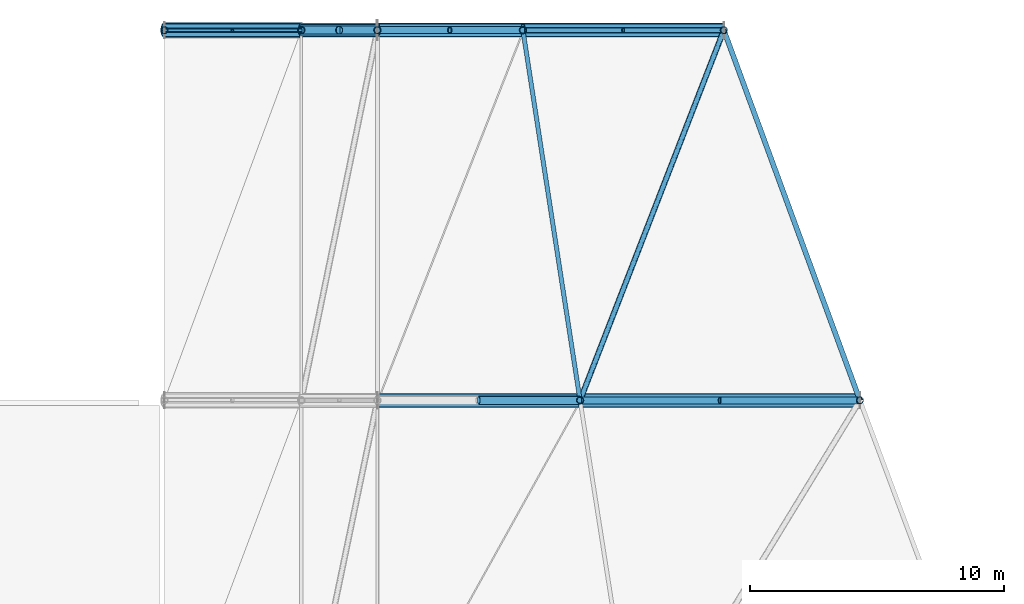
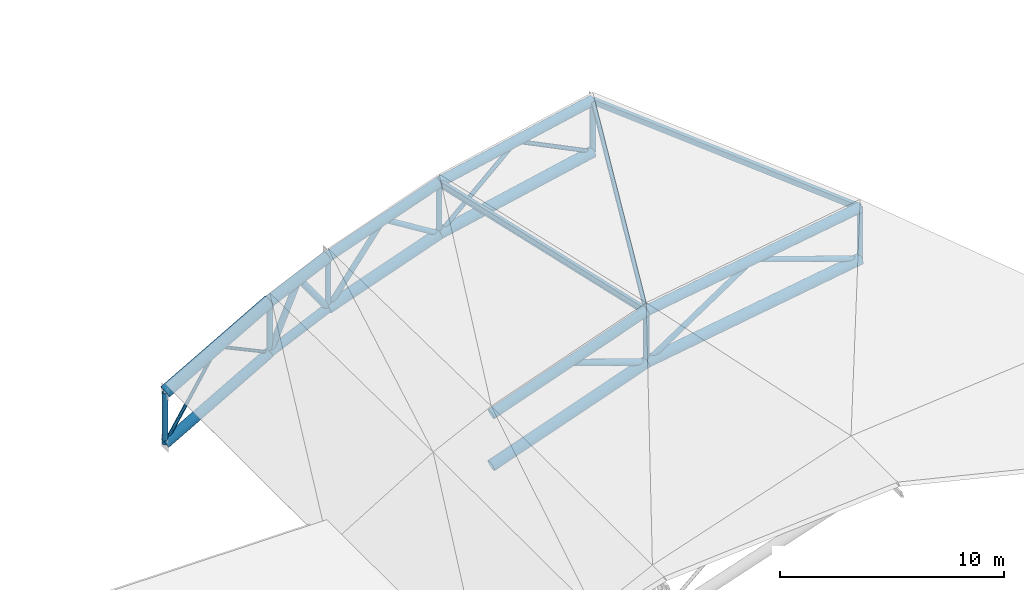
# One storey, part 14 of 36: 33 members.
"""IFC4 building model written with IfcOpenShell, lengths in metres."""

from ifc_helpers import new_model, si_unit, direction, frame, origin, origin_2d, place, context, subcontext, project, spatial, hollow_rectangle, hollow_circle, i_section, extrude, material, material_profile, profile_set, type_object, element, save


model = new_model("IFC4")

# Units and contexts
model_context = context("Model", 3, precision=1e-05, world=origin(), true_north=direction((0.0, 1.0)))
body_context = subcontext(model_context, "Body", "Model", "MODEL_VIEW")
ifc_project = project(units=[si_unit("LENGTHUNIT", "METRE"), si_unit("AREAUNIT", "SQUARE_METRE"), si_unit("VOLUMEUNIT", "CUBIC_METRE"), si_unit("PLANEANGLEUNIT", "RADIAN"), si_unit("MASSUNIT", "GRAM", prefix="KILO")], contexts=[model_context])

# Site, building, storey
site_placement = place(None, origin())
site = spatial("IfcSite", under=ifc_project, at=site_placement, CompositionType="ELEMENT")
building_placement = place(site_placement, origin())
building = spatial("IfcBuilding", under=site, at=building_placement, Name="Koshinbarg Plaza Stadium", CompositionType="ELEMENT")
storey_placement = place(building_placement, frame((0.0, 0.0, 34.199951171875)))
storey = spatial("IfcBuildingStorey", under=building, at=storey_placement, Name="RF", CompositionType="ELEMENT", Elevation=34.199951171875)

# Members
ifc_material = material(Name="Steel S355", Category="steel")
ifc_material_profile_1 = material_profile(ifc_material, hollow_circle(Radius=0.279541015625, WallThickness=0.022216796875, at=origin_2d()), Name="CHS 559x22.2")
ifc_profile_set_1 = profile_set([ifc_material_profile_1], Name="Steel S355")
member_type_1 = type_object("IfcMemberType", Name="MB-ARCH-BOT", PredefinedType="CHORD", material=ifc_profile_set_1)
member_1_placement = place(storey_placement, frame((54.60009765625, 111.89990234375, -0.10302734375), z_axis=(0.942098779922, 0.0, 0.335335487041), x_axis=(0.0, 1.0, 0.0)))
element("IfcMember", 1, at=member_1_placement, inside=storey, type_object=member_type_1, Name="Quarter-barrel roof truss bottom chord WRB-07-3", PredefinedType="CHORD", context=body_context, shape_type="SweptSolid", body=[
    extrude(hollow_circle(Radius=0.279541015625, WallThickness=0.022216796875, at=origin_2d()), origin(), (0.0, 0.0, 1.0), 8.484619140625),
])
member_2_placement = place(storey_placement, frame((62.593505859375, 111.89990234375, 2.7421875), z_axis=(0.987287695583, 0.0, 0.158943405497), x_axis=(0.0, 1.0, 0.0)))
element("IfcMember", 2, at=member_2_placement, inside=storey, type_object=member_type_1, Name="Quarter-barrel roof truss bottom chord WRB-07-4", PredefinedType="CHORD", context=body_context, shape_type="SweptSolid", body=[
    extrude(hollow_circle(Radius=0.279541015625, WallThickness=0.022216796875, at=origin_2d()), origin(), (0.0, 0.0, 1.0), 11.1806640625),
])
member_3_placement = place(storey_placement, frame((54.60009765625, 126.5, -0.353271484375), z_axis=(0.941982839682, 0.0, 0.335661033999), x_axis=(0.0, 1.0, 0.0)))
element("IfcMember", 3, at=member_3_placement, inside=storey, type_object=member_type_1, Name="Quarter-barrel roof truss bottom chord WRB-08-3", PredefinedType="CHORD", context=body_context, shape_type="SweptSolid", body=[
    extrude(hollow_circle(Radius=0.279541015625, WallThickness=0.022216796875, at=origin_2d()), origin(), (0.0, 0.0, 1.0), 6.09228515625),
])
member_4_placement = place(storey_placement, frame((60.3388671875, 126.5, 1.691650390625), z_axis=(0.977875975402, 0.0, 0.209185507939), x_axis=(0.0, 1.0, 0.0)))
element("IfcMember", 4, at=member_4_placement, inside=storey, type_object=member_type_1, Name="Quarter-barrel roof truss bottom chord WRB-08-4", PredefinedType="CHORD", context=body_context, shape_type="SweptSolid", body=[
    extrude(hollow_circle(Radius=0.279541015625, WallThickness=0.022216796875, at=origin_2d()), origin(), (0.0, 0.0, 1.0), 8.104248046875),
])
ifc_material_profile_2 = material_profile(ifc_material, hollow_circle(Radius=0.25390625, WallThickness=0.02001953125, at=origin_2d()), Name="CHS 508x20")
ifc_profile_set_2 = profile_set([ifc_material_profile_2], Name="Steel S355")
member_type_2 = type_object("IfcMemberType", Name="MB-ARCH-TOP", PredefinedType="CHORD", material=ifc_profile_set_2)
member_5_placement = place(storey_placement, frame((54.60009765625, 111.89990234375, 2.697021484375), z_axis=(0.942098779922, 0.0, 0.335335487041), x_axis=(0.0, 1.0, 0.0)))
element("IfcMember", 5, at=member_5_placement, inside=storey, type_object=member_type_2, Name="Quarter-barrel roof truss top chord WRB-07-3", PredefinedType="CHORD", context=body_context, shape_type="SweptSolid", body=[
    extrude(hollow_circle(Radius=0.25390625, WallThickness=0.02001953125, at=origin_2d()), origin(), (0.0, 0.0, 1.0), 8.484619140625),
])
member_6_placement = place(storey_placement, frame((62.593505859375, 111.89990234375, 5.542236328125), z_axis=(0.987287695583, 0.0, 0.158943405497), x_axis=(0.0, 1.0, 0.0)))
element("IfcMember", 6, at=member_6_placement, inside=storey, type_object=member_type_2, Name="Quarter-barrel roof truss top chord WRB-07-4", PredefinedType="CHORD", context=body_context, shape_type="SweptSolid", body=[
    extrude(hollow_circle(Radius=0.25390625, WallThickness=0.02001953125, at=origin_2d()), origin(), (0.0, 0.0, 1.0), 11.1806640625),
])
member_7_placement = place(storey_placement, frame((54.60009765625, 126.5, 2.446533203125), z_axis=(0.94197016826, 0.0, 0.335696592339), x_axis=(0.0, 1.0, 0.0)))
element("IfcMember", 7, at=member_7_placement, inside=storey, type_object=member_type_2, Name="Quarter-barrel roof truss top chord WRB-08-3", PredefinedType="CHORD", context=body_context, shape_type="SweptSolid", body=[
    extrude(hollow_circle(Radius=0.25390625, WallThickness=0.02001953125, at=origin_2d()), origin(), (0.0, 0.0, 1.0), 6.09228515625),
])
member_8_placement = place(storey_placement, frame((60.3388671875, 126.5, 4.49169921875), z_axis=(0.977875975402, 0.0, 0.209185507939), x_axis=(0.0, 1.0, 0.0)))
element("IfcMember", 8, at=member_8_placement, inside=storey, type_object=member_type_2, Name="Quarter-barrel roof truss top chord WRB-08-4", PredefinedType="CHORD", context=body_context, shape_type="SweptSolid", body=[
    extrude(hollow_circle(Radius=0.25390625, WallThickness=0.02001953125, at=origin_2d()), origin(), (0.0, 0.0, 1.0), 8.104248046875),
])
ifc_material_profile_3 = material_profile(ifc_material, hollow_circle(Radius=0.161865234375, WallThickness=0.01416015625, at=origin_2d()), Name="CHS 323.9x14.2")
ifc_profile_set_3 = profile_set([ifc_material_profile_3], Name="Steel S355")
member_type_3 = type_object("IfcMemberType", Name="MB-BRACE-01", PredefinedType="BRACE", material=ifc_profile_set_3)
member_9_placement = place(storey_placement, frame((58.5966796875, 111.89990234375, 4.11962890625), z_axis=(0.945429428908, 0.0, -0.325826940193), x_axis=(0.0, 1.0, 0.0)))
element("IfcMember", 9, at=member_9_placement, inside=storey, type_object=member_type_3, Name="Quarter-barrel roof truss web diagonal WRB-07-3B", PredefinedType="BRACE", context=body_context, shape_type="SweptSolid", body=[
    extrude(hollow_circle(Radius=0.161865234375, WallThickness=0.01416015625, at=origin_2d()), origin(), (0.0, 0.0, 1.0), 4.2275390625),
])
member_10_placement = place(storey_placement, frame((51.60009765625, 126.5, -1.7265625), z_axis=(0.395199828763, 0.0, 0.918595174898), x_axis=(0.0, 1.0, 0.0)))
element("IfcMember", 10, at=member_10_placement, inside=storey, type_object=member_type_3, Name="Quarter-barrel roof truss web diagonal WRB-08-2A", PredefinedType="BRACE", context=body_context, shape_type="SweptSolid", body=[
    extrude(hollow_circle(Radius=0.161865234375, WallThickness=0.01416015625, at=origin_2d()), origin(), (0.0, 0.0, 1.0), 3.795654296875),
])
member_11_placement = place(storey_placement, frame((53.10009765625, 126.5, 1.760009765625), z_axis=(0.578811678148, 0.0, -0.815461244474), x_axis=(0.0, 1.0, 0.0)))
element("IfcMember", 11, at=member_11_placement, inside=storey, type_object=member_type_3, Name="Quarter-barrel roof truss web diagonal WRB-08-2B", PredefinedType="BRACE", context=body_context, shape_type="SweptSolid", body=[
    extrude(hollow_circle(Radius=0.161865234375, WallThickness=0.01416015625, at=origin_2d()), origin(), (0.0, 0.0, 1.0), 2.591552734375),
])
ifc_material_profile_4 = material_profile(ifc_material, hollow_circle(Radius=0.136474609375, WallThickness=0.012451171875, at=origin_2d()), Name="CHS 273x12.5")
ifc_profile_set_4 = profile_set([ifc_material_profile_4], Name="Steel S355")
member_type_4 = type_object("IfcMemberType", Name="MB-BRACE-02", PredefinedType="BRACE", material=ifc_profile_set_4)
member_12_placement = place(storey_placement, frame((62.593505859375, 111.89990234375, 2.7421875), z_axis=(0.831427383293, 0.0, 0.555633428), x_axis=(0.0, 1.0, 0.0)))
element("IfcMember", 12, at=member_12_placement, inside=storey, type_object=member_type_4, Name="Quarter-barrel roof truss web diagonal WRB-07-4A", PredefinedType="BRACE", context=body_context, shape_type="SweptSolid", body=[
    extrude(hollow_circle(Radius=0.136474609375, WallThickness=0.012451171875, at=origin_2d()), origin(), (0.0, 0.0, 1.0), 6.638427734375),
])
member_13_placement = place(storey_placement, frame((68.11279296875, 111.89990234375, 6.4306640625), z_axis=(0.944940842416, 0.0, -0.327241202073), x_axis=(0.0, 1.0, 0.0)))
element("IfcMember", 13, at=member_13_placement, inside=storey, type_object=member_type_4, Name="Quarter-barrel roof truss web diagonal WRB-07-4B", PredefinedType="BRACE", context=body_context, shape_type="SweptSolid", body=[
    extrude(hollow_circle(Radius=0.136474609375, WallThickness=0.012451171875, at=origin_2d()), origin(), (0.0, 0.0, 1.0), 5.8408203125),
])
for number, where, z_axis, x_axis, name in (
    (14, (62.593505859375, 111.89990234375, 2.7421875), (0.0, 0.0, 1.0), (1.0, 0.0, 0.0), "Quarter-barrel roof truss post WRB-07-4"),
    (15, (73.632080078125, 111.89990234375, 4.519287109375), (0.0, 0.0, 1.0), (1.0, 0.0, 0.0), "Quarter-barrel roof truss post WRB-07-5"),
):
    element("IfcMember", number, at=place(storey_placement, frame(where, z_axis=z_axis, x_axis=x_axis)), inside=storey, type_object=member_type_4, Name=name, PredefinedType="BRACE", context=body_context, shape_type="SweptSolid", body=[
        extrude(hollow_circle(Radius=0.136474609375, WallThickness=0.012451171875, at=origin_2d()), origin(), (0.0, 0.0, 1.0), 2.800048828125),
    ])
member_14_placement = place(storey_placement, frame((54.60009765625, 126.5, -0.353271484375), z_axis=(0.600335027586, 0.0, 0.799748619664), x_axis=(0.0, 1.0, 0.0)))
element("IfcMember", 16, at=member_14_placement, inside=storey, type_object=member_type_4, Name="Quarter-barrel roof truss web diagonal WRB-08-3A", PredefinedType="BRACE", context=body_context, shape_type="SweptSolid", body=[
    extrude(hollow_circle(Radius=0.136474609375, WallThickness=0.012451171875, at=origin_2d()), origin(), (0.0, 0.0, 1.0), 4.779541015625),
])
member_15_placement = place(storey_placement, frame((57.469482421875, 126.5, 3.46923828125), z_axis=(0.850092457954, 0.0, -0.526633471145), x_axis=(0.0, 1.0, 0.0)))
element("IfcMember", 17, at=member_15_placement, inside=storey, type_object=member_type_4, Name="Quarter-barrel roof truss web diagonal WRB-08-3B", PredefinedType="BRACE", context=body_context, shape_type="SweptSolid", body=[
    extrude(hollow_circle(Radius=0.136474609375, WallThickness=0.012451171875, at=origin_2d()), origin(), (0.0, 0.0, 1.0), 3.37548828125),
])
member_16_placement = place(storey_placement, frame((46.199951171875, 126.5, -4.800048828125), z_axis=(0.0, 0.0, 1.0), x_axis=(1.0, 0.0, 0.0)))
element("IfcMember", 18, at=member_16_placement, inside=storey, type_object=member_type_4, Name="Quarter-barrel roof truss post WRB-08-1", PredefinedType="BRACE", context=body_context, shape_type="SweptSolid", body=[
    extrude(hollow_circle(Radius=0.136474609375, WallThickness=0.012451171875, at=origin_2d()), origin(), (0.0, 0.0, 1.0), 2.800048828125),
])
for number, where, z_axis, x_axis, name in (
    (19, (51.60009765625, 126.5, -1.7265625), (0.0, 0.0, 1.0), (1.0, 0.0, 0.0), "Quarter-barrel roof truss post WRB-08-2"),
    (20, (54.60009765625, 126.5, -0.353271484375), (0.0, 0.0, 1.0), (1.0, 0.0, 0.0), "Quarter-barrel roof truss post WRB-08-3"),
):
    element("IfcMember", number, at=place(storey_placement, frame(where, z_axis=z_axis, x_axis=x_axis)), inside=storey, type_object=member_type_4, Name=name, PredefinedType="BRACE", context=body_context, shape_type="SweptSolid", body=[
        extrude(hollow_circle(Radius=0.136474609375, WallThickness=0.012451171875, at=origin_2d()), origin(), (0.0, 0.0, 1.0), 2.7998046875),
    ])
for number, where, z_axis, x_axis, name in (
    (21, (60.3388671875, 126.5, 1.691650390625), (0.0, 0.0, 1.0), (1.0, 0.0, 0.0), "Quarter-barrel roof truss post WRB-08-4"),
    (22, (68.263916015625, 126.5, 3.386962890625), (0.0, 0.0, 1.0), (1.0, 0.0, 0.0), "Quarter-barrel roof truss post WRB-08-5"),
):
    element("IfcMember", number, at=place(storey_placement, frame(where, z_axis=z_axis, x_axis=x_axis)), inside=storey, type_object=member_type_4, Name=name, PredefinedType="BRACE", context=body_context, shape_type="SweptSolid", body=[
        extrude(hollow_circle(Radius=0.136474609375, WallThickness=0.012451171875, at=origin_2d()), origin(), (0.0, 0.0, 1.0), 2.800048828125),
    ])
ifc_material_profile_5 = material_profile(ifc_material, hollow_circle(Radius=0.109619140625, WallThickness=0.010009765625, at=origin_2d()), Name="CHS 219.1x10")
ifc_profile_set_5 = profile_set([ifc_material_profile_5], Name="Steel S355")
member_type_5 = type_object("IfcMemberType", Name="MB-BRACE-03", PredefinedType="BRACE", material=ifc_profile_set_5)
member_17_placement = place(storey_placement, frame((60.3388671875, 126.5, 1.691650390625), z_axis=(0.735739452383, 0.0, 0.677264688439), x_axis=(0.0, 1.0, 0.0)))
element("IfcMember", 23, at=member_17_placement, inside=storey, type_object=member_type_5, Name="Quarter-barrel roof truss web diagonal WRB-08-4A", PredefinedType="BRACE", context=body_context, shape_type="SweptSolid", body=[
    extrude(hollow_circle(Radius=0.109619140625, WallThickness=0.010009765625, at=origin_2d()), origin(), (0.0, 0.0, 1.0), 5.385986328125),
])
member_18_placement = place(storey_placement, frame((64.301513671875, 126.5, 5.33935546875), z_axis=(0.897020684397, 0.0, -0.441988565196), x_axis=(0.0, 1.0, 0.0)))
element("IfcMember", 24, at=member_18_placement, inside=storey, type_object=member_type_5, Name="Quarter-barrel roof truss web diagonal WRB-08-4B", PredefinedType="BRACE", context=body_context, shape_type="SweptSolid", body=[
    extrude(hollow_circle(Radius=0.109619140625, WallThickness=0.010009765625, at=origin_2d()), origin(), (0.0, 0.0, 1.0), 4.417236328125),
])
member_19_placement = place(storey_placement, frame((62.593505859375, 111.89990234375, 5.542236328125), z_axis=(0.361729138383, 0.931375438456, 0.04113177708), x_axis=(-0.932164300793, 0.362035518047, 0.0)))
element("IfcMember", 25, at=member_19_placement, inside=storey, type_object=member_type_5, Name="Roof plan wind brace west bay 7.4", PredefinedType="BRACE", context=body_context, shape_type="SweptSolid", body=[
    extrude(hollow_circle(Radius=0.109619140625, WallThickness=0.010009765625, at=origin_2d()), origin(), (0.0, 0.0, 1.0), 15.67578125),
])
ifc_material_profile_6 = material_profile(ifc_material, hollow_circle(Radius=0.084228515625, WallThickness=0.008056640625, at=origin_2d()), Name="CHS 168.3x8")
ifc_profile_set_6 = profile_set([ifc_material_profile_6], Name="Steel S355")
member_type_6 = type_object("IfcMemberType", Name="MB-BRACE-04", PredefinedType="BRACE", material=ifc_profile_set_6)
member_20_placement = place(storey_placement, frame((46.199951171875, 126.5, -4.800048828125), z_axis=(0.528524662436, 0.0, 0.84891794727), x_axis=(0.0, 1.0, 0.0)))
element("IfcMember", 26, at=member_20_placement, inside=storey, type_object=member_type_6, Name="Quarter-barrel roof truss web diagonal WRB-08-1A", PredefinedType="BRACE", context=body_context, shape_type="SweptSolid", body=[
    extrude(hollow_circle(Radius=0.084228515625, WallThickness=0.008056640625, at=origin_2d()), origin(), (0.0, 0.0, 1.0), 5.1083984375),
])
member_21_placement = place(storey_placement, frame((48.89990234375, 126.5, -0.46337890625), z_axis=(0.905785208446, 0.0, -0.423737130967), x_axis=(0.0, 1.0, 0.0)))
element("IfcMember", 27, at=member_21_placement, inside=storey, type_object=member_type_6, Name="Quarter-barrel roof truss web diagonal WRB-08-1B", PredefinedType="BRACE", context=body_context, shape_type="SweptSolid", body=[
    extrude(hollow_circle(Radius=0.084228515625, WallThickness=0.008056640625, at=origin_2d()), origin(), (0.0, 0.0, 1.0), 2.98095703125),
])
ifc_material_profile_7 = material_profile(ifc_material, hollow_circle(Radius=0.304931640625, WallThickness=0.02490234375, at=origin_2d()), Name="CHS 610x25")
ifc_profile_set_7 = profile_set([ifc_material_profile_7], Name="Steel S355")
member_type_7 = type_object("IfcMemberType", Name="MB-CHORD-01", PredefinedType="CHORD", material=ifc_profile_set_7)
member_22_placement = place(storey_placement, frame((46.199951171875, 126.5, -2.0), z_axis=(0.869112287244, 0.0, 0.494614832128), x_axis=(0.0, 1.0, 0.0)))
element("IfcMember", 28, at=member_22_placement, inside=storey, type_object=member_type_7, Name="Quarter-barrel roof truss top chord WRB-08-1", PredefinedType="CHORD", context=body_context, shape_type="SweptSolid", body=[
    extrude(hollow_circle(Radius=0.304931640625, WallThickness=0.02490234375, at=origin_2d()), origin(), (0.0, 0.0, 1.0), 6.21337890625),
])
ifc_material_profile_8 = material_profile(ifc_material, hollow_circle(Radius=0.279541015625, WallThickness=0.022216796875, at=origin_2d()), Name="CHS 559x22.2")
ifc_profile_set_8 = profile_set([ifc_material_profile_8], Name="Steel S355")
member_type_8 = type_object("IfcMemberType", Name="MB-CHORD-02", PredefinedType="CHORD", material=ifc_profile_set_8)
member_23_placement = place(storey_placement, frame((51.60009765625, 126.5, 1.0732421875), z_axis=(0.909260911954, 0.0, 0.416226613748), x_axis=(0.0, 1.0, 0.0)))
element("IfcMember", 29, at=member_23_placement, inside=storey, type_object=member_type_8, Name="Quarter-barrel roof truss top chord WRB-08-2", PredefinedType="CHORD", context=body_context, shape_type="SweptSolid", body=[
    extrude(hollow_circle(Radius=0.279541015625, WallThickness=0.022216796875, at=origin_2d()), origin(), (0.0, 0.0, 1.0), 3.29931640625),
])
ifc_material_profile_9 = material_profile(ifc_material, hollow_circle(Radius=0.25390625, WallThickness=0.02001953125, at=origin_2d()), Name="CHS 508x20")
ifc_profile_set_9 = profile_set([ifc_material_profile_9], Name="Steel S355")
member_type_9 = type_object("IfcMemberType", Name="MB-CHORD-03", PredefinedType="CHORD", material=ifc_profile_set_9)
member_24_placement = place(storey_placement, frame((46.199951171875, 126.5, -4.800048828125), z_axis=(0.869095396141, 0.0, 0.494644511145), x_axis=(0.0, 1.0, 0.0)))
element("IfcMember", 30, at=member_24_placement, inside=storey, type_object=member_type_9, Name="Quarter-barrel roof truss bottom chord WRB-08-1", PredefinedType="CHORD", context=body_context, shape_type="SweptSolid", body=[
    extrude(hollow_circle(Radius=0.25390625, WallThickness=0.02001953125, at=origin_2d()), origin(), (0.0, 0.0, 1.0), 6.213623046875),
])
ifc_material_profile_10 = material_profile(ifc_material, hollow_circle(Radius=0.228515625, WallThickness=0.02001953125, at=origin_2d()), Name="CHS 457x20")
ifc_profile_set_10 = profile_set([ifc_material_profile_10], Name="Steel S355")
member_type_10 = type_object("IfcMemberType", Name="MB-CHORD-04", PredefinedType="CHORD", material=ifc_profile_set_10)
member_25_placement = place(storey_placement, frame((51.60009765625, 126.5, -1.7265625), z_axis=(0.909260911954, 0.0, 0.416226613748), x_axis=(0.0, 1.0, 0.0)))
element("IfcMember", 31, at=member_25_placement, inside=storey, type_object=member_type_10, Name="Quarter-barrel roof truss bottom chord WRB-08-2", PredefinedType="CHORD", context=body_context, shape_type="SweptSolid", body=[
    extrude(hollow_circle(Radius=0.228515625, WallThickness=0.02001953125, at=origin_2d()), origin(), (0.0, 0.0, 1.0), 3.29931640625),
])
ifc_material_profile_11 = material_profile(ifc_material, hollow_rectangle(XDim=0.199951171875, YDim=0.300048828125, WallThickness=0.012451171875, at=origin_2d()), Name="RHS 300x200x12.5")
ifc_profile_set_11 = profile_set([ifc_material_profile_11], Name="Steel S355")
member_type_11 = type_object("IfcMemberType", Name="MB-PURL-01", PredefinedType="PURLIN", material=ifc_profile_set_11)
member_26_placement = place(storey_placement, frame((73.632080078125, 111.89990234375, 7.29931640625), z_axis=(-0.344182250246, 0.936091819594, -0.072599475925), x_axis=(-0.938568536443, -0.345092889524, 0.0)))
element("IfcMember", 32, at=member_26_placement, inside=storey, type_object=member_type_11, Name="Roof longitudinal purlin west bay 7.5", PredefinedType="PURLIN", context=body_context, shape_type="SweptSolid", body=[
    extrude(hollow_rectangle(XDim=0.199951171875, YDim=0.300048828125, WallThickness=0.012451171875, at=origin_2d()), origin(), (0.0, 0.0, 1.0), 15.596923828125),
])
ifc_material_profile_12 = material_profile(ifc_material, i_section(OverallWidth=0.169921875, OverallDepth=0.360107421875, WebThickness=0.008056640625, FlangeThickness=0.0126953125, at=origin_2d()), Name="IPE 360")
ifc_profile_set_12 = profile_set([ifc_material_profile_12], Name="Steel S355")
member_type_12 = type_object("IfcMemberType", Name="MB-PURL-05", PredefinedType="PURLIN", material=ifc_profile_set_12)
member_27_placement = place(storey_placement, frame((62.593505859375, 111.89990234375, 5.522216796875), z_axis=(-0.152232807177, 0.985796029757, -0.070932081135), x_axis=(-0.988285374721, -0.152617227443, 0.0)))
element("IfcMember", 33, at=member_27_placement, inside=storey, type_object=member_type_12, Name="Roof longitudinal purlin west bay 7.4", PredefinedType="PURLIN", context=body_context, shape_type="SweptSolid", body=[
    extrude(i_section(OverallWidth=0.169921875, OverallDepth=0.360107421875, WebThickness=0.008056640625, FlangeThickness=0.0126953125, at=origin_2d()), origin(), (0.0, 0.0, 1.0), 14.810546875),
])

save(model, "model.ifc")
